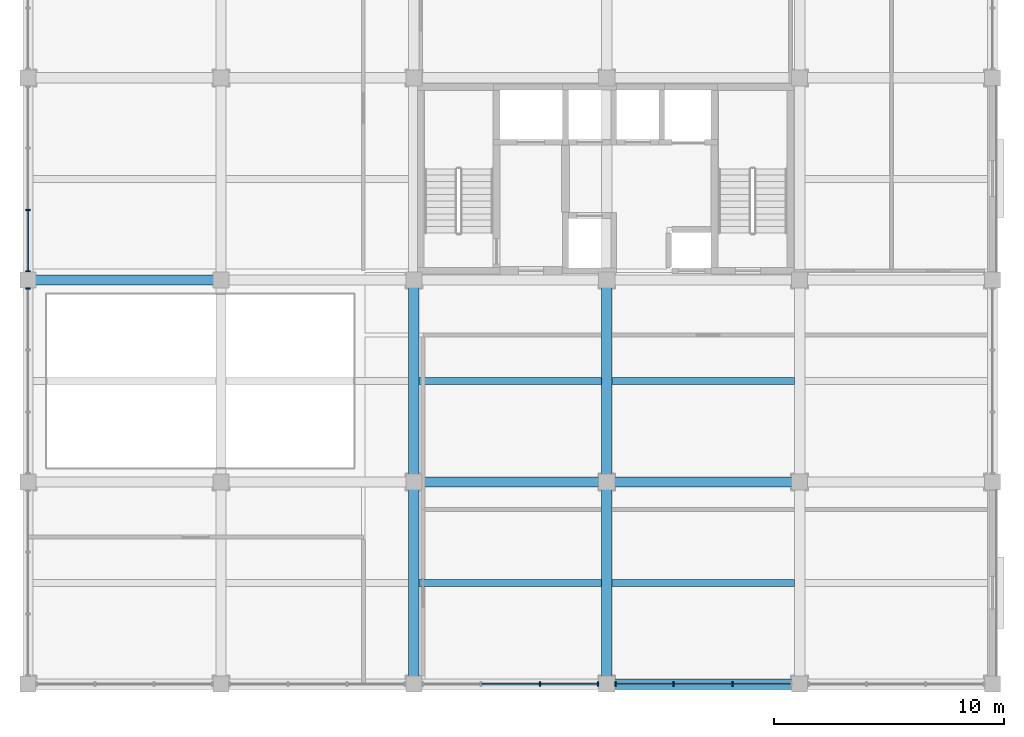
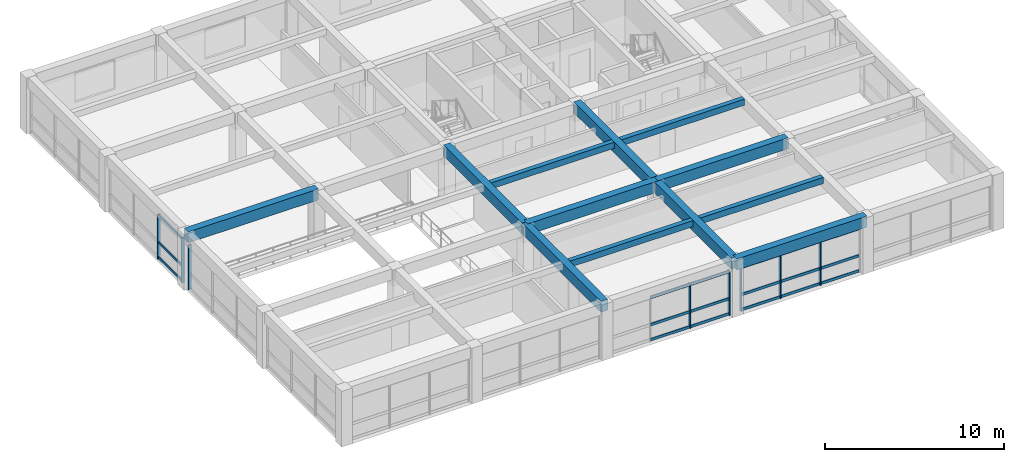
# One storey, part 3 of 13: 26 members, 12 beams, 4 elements without a shape of their own.
"""IFC4 building model written with IfcOpenShell, lengths in metres."""

from ifc_helpers import new_model, si_unit, direction, frame, origin, origin_2d, place, context, subcontext, project, spatial, rectangle, extrude, material, material_profile, profile_set, type_object, element, aggregate, save


model = new_model("IFC4")

# Units and contexts
model_context = context("Model", 3, precision=1e-05, world=origin(), true_north=direction((0.0, 1.0)))
body_context = subcontext(model_context, "Body", "Model", "MODEL_VIEW")
ifc_project = project(units=[si_unit("LENGTHUNIT", "METRE"), si_unit("AREAUNIT", "SQUARE_METRE"), si_unit("VOLUMEUNIT", "CUBIC_METRE"), si_unit("PLANEANGLEUNIT", "RADIAN"), si_unit("MASSUNIT", "GRAM", prefix="KILO")], contexts=[model_context])

# Site, building, storey
site_placement = place(None, origin())
site = spatial("IfcSite", under=ifc_project, at=site_placement, CompositionType="ELEMENT")
building_placement = place(site_placement, origin())
building = spatial("IfcBuilding", under=site, at=building_placement, Name="Kemercrest Conservatory and Botanical Centre", CompositionType="ELEMENT")
storey_placement = place(building_placement, frame((0.0, 0.0, 40.60009765625)))
storey = spatial("IfcBuildingStorey", under=building, at=storey_placement, Name="L10", CompositionType="ELEMENT", Elevation=40.60009765625)

# Beams
ifc_material_1 = material(Name="Concrete C40/50", Category="concrete")
ifc_material_profile_1 = material_profile(ifc_material_1, rectangle(XDim=0.449951171875, YDim=0.75, at=origin_2d()), Name="RC 450x750")
ifc_profile_set_1 = profile_set([ifc_material_profile_1], Name="Concrete C40/50")
beam_type_1 = type_object("IfcBeamType", Name="BM-RC75", PredefinedType="BEAM", material=ifc_profile_set_1)
beam_1_placement = place(storey_placement, frame((150.800048828125, 96.0, 3.4248046875), z_axis=(1.0, 0.0, 0.0), x_axis=(0.0, 1.0, 0.0)))
element("IfcBeam", 1, at=beam_1_placement, inside=storey, type_object=beam_type_1, Name="V4-L11 beam BM-RC75 L/18-19", PredefinedType="BEAM", context=body_context, shape_type="SweptSolid", body=[
    extrude(rectangle(XDim=0.449951171875, YDim=0.75, at=origin_2d()), origin(), (0.0, 0.0, 1.0), 8.39990234375),
])
beam_2_placement = place(storey_placement, frame((159.199951171875, 96.0, 3.4248046875), z_axis=(1.0, 0.0, 0.0), x_axis=(0.0, 1.0, 0.0)))
element("IfcBeam", 2, at=beam_2_placement, inside=storey, type_object=beam_type_1, Name="V4-L11 beam BM-RC75 L/19-20", PredefinedType="BEAM", context=body_context, shape_type="SweptSolid", body=[
    extrude(rectangle(XDim=0.449951171875, YDim=0.75, at=origin_2d()), origin(), (0.0, 0.0, 1.0), 8.400146484375),
])
beam_3_placement = place(storey_placement, frame((134.0, 104.800048828125, 3.4248046875), z_axis=(1.0, 0.0, 0.0), x_axis=(0.0, 1.0, 0.0)))
element("IfcBeam", 3, at=beam_3_placement, inside=storey, type_object=beam_type_1, Name="V4-L11 beam BM-RC75 M/16-17", PredefinedType="BEAM", context=body_context, shape_type="SweptSolid", body=[
    extrude(rectangle(XDim=0.449951171875, YDim=0.75, at=origin_2d()), origin(), (0.0, 0.0, 1.0), 8.39990234375),
])
for number, where, z_axis, x_axis, name in (
    (4, (150.800048828125, 87.199951171875, 3.4248046875), (0.0, 1.0, 0.0), (-1.0, 0.0, 0.0), "V4-L11 beam BM-RC75 18/K-L"),
    (5, (150.800048828125, 96.0, 3.4248046875), (0.0, 1.0, 0.0), (-1.0, 0.0, 0.0), "V4-L11 beam BM-RC75 18/L-M"),
    (6, (159.199951171875, 87.199951171875, 3.4248046875), (0.0, 1.0, 0.0), (-1.0, 0.0, 0.0), "V4-L11 beam BM-RC75 19/K-L"),
    (7, (159.199951171875, 96.0, 3.4248046875), (0.0, 1.0, 0.0), (-1.0, 0.0, 0.0), "V4-L11 beam BM-RC75 19/L-M"),
):
    element("IfcBeam", number, at=place(storey_placement, frame(where, z_axis=z_axis, x_axis=x_axis)), inside=storey, type_object=beam_type_1, Name=name, PredefinedType="BEAM", context=body_context, shape_type="SweptSolid", body=[
        extrude(rectangle(XDim=0.449951171875, YDim=0.75, at=origin_2d()), origin(), (0.0, 0.0, 1.0), 8.800048828125),
    ])

# Curtain wall, members
ifc_material_2 = material(Name="Thermally broken aluminium and triple low-e glazing", Category="aluminium")
curtain_wall_type_1 = type_object("IfcCurtainWallType", Name="CW-24", PredefinedType="USERDEFINED", material=ifc_material_2)
curtain_wall_1_placement = place(storey_placement, origin())
curtain_wall_1 = element("IfcCurtainWall", 8, at=curtain_wall_1_placement, inside=storey, type_object=curtain_wall_type_1, Name="Unitised curtain wall CW-24 (CW:L10:V4-113)", ObjectType="UNITISED CURTAIN WALL", PredefinedType="USERDEFINED")
ifc_material_3 = material(Name="Thermally broken anodized aluminium 6063-T6", Category="aluminium")
ifc_material_profile_2 = material_profile(ifc_material_3, rectangle(XDim=0.199951171875, YDim=0.06494140625, at=origin_2d()), Name="AL MULLION 65x200")
ifc_profile_set_2 = profile_set([ifc_material_profile_2], Name="Thermally broken anodized aluminium 6063-T6")
member_type_1 = type_object("IfcMemberType", Name="CW-M200", PredefinedType="MULLION", material=ifc_profile_set_2)
member_1_placement = place(storey_placement, frame((156.284912109375, 87.199951171875, 0.0), z_axis=(0.0, 0.0, 1.0), x_axis=(0.0, 1.0, 0.0)))
member_1 = element("IfcMember", 9, at=member_1_placement, type_object=member_type_1, Name="CW-24 mullion 3", PredefinedType="MULLION", context=body_context, shape_type="SweptSolid", body=[
    extrude(rectangle(XDim=0.199951171875, YDim=0.06494140625, at=origin_2d()), origin(), (0.0, 0.0, 1.0), 3.054931640625),
])
member_2_placement = place(storey_placement, frame((158.822509765625, 87.199951171875, 0.0), z_axis=(0.0, 0.0, 1.0), x_axis=(0.0, 1.0, 0.0)))
member_2 = element("IfcMember", 10, at=member_2_placement, type_object=member_type_1, Name="CW-24 mullion 4", PredefinedType="MULLION", context=body_context, shape_type="SweptSolid", body=[
    extrude(rectangle(XDim=0.199951171875, YDim=0.06494140625, at=origin_2d()), origin(), (0.0, 0.0, 1.0), 3.054931640625),
])

curtain_wall_type_2 = type_object("IfcCurtainWallType", Name="CW-25", PredefinedType="USERDEFINED", material=ifc_material_2)
curtain_wall_2_placement = place(storey_placement, origin())
curtain_wall_2 = element("IfcCurtainWall", 11, at=curtain_wall_2_placement, inside=storey, type_object=curtain_wall_type_2, Name="Unitised curtain wall CW-25 (CW:L10:V4-114)", ObjectType="UNITISED CURTAIN WALL", PredefinedType="USERDEFINED")
member_3_placement = place(storey_placement, frame((159.577392578125, 87.199951171875, 0.0), z_axis=(0.0, 0.0, 1.0), x_axis=(0.0, 1.0, 0.0)))
member_3 = element("IfcMember", 12, at=member_3_placement, type_object=member_type_1, Name="CW-25 mullion 1", PredefinedType="MULLION", context=body_context, shape_type="SweptSolid", body=[
    extrude(rectangle(XDim=0.199951171875, YDim=0.06494140625, at=origin_2d()), origin(), (0.0, 0.0, 1.0), 3.054931640625),
])
member_4_placement = place(storey_placement, frame((162.114990234375, 87.199951171875, 0.0), z_axis=(0.0, 0.0, 1.0), x_axis=(0.0, 1.0, 0.0)))
member_4 = element("IfcMember", 13, at=member_4_placement, type_object=member_type_1, Name="CW-25 mullion 2", PredefinedType="MULLION", context=body_context, shape_type="SweptSolid", body=[
    extrude(rectangle(XDim=0.199951171875, YDim=0.06494140625, at=origin_2d()), origin(), (0.0, 0.0, 1.0), 3.054931640625),
])
member_5_placement = place(storey_placement, frame((164.68505859375, 87.199951171875, 0.0), z_axis=(0.0, 0.0, 1.0), x_axis=(0.0, 1.0, 0.0)))
member_5 = element("IfcMember", 14, at=member_5_placement, type_object=member_type_1, Name="CW-25 mullion 3", PredefinedType="MULLION", context=body_context, shape_type="SweptSolid", body=[
    extrude(rectangle(XDim=0.199951171875, YDim=0.06494140625, at=origin_2d()), origin(), (0.0, 0.0, 1.0), 3.054931640625),
])

curtain_wall_type_3 = type_object("IfcCurtainWallType", Name="CW-30", PredefinedType="USERDEFINED", material=ifc_material_2)
curtain_wall_3_placement = place(storey_placement, origin())
curtain_wall_3 = element("IfcCurtainWall", 15, at=curtain_wall_3_placement, inside=storey, type_object=curtain_wall_type_3, Name="Unitised curtain wall CW-30 (CW:L10:V4-119)", ObjectType="UNITISED CURTAIN WALL", PredefinedType="USERDEFINED")
member_6_placement = place(storey_placement, frame((134.0, 107.848388671875, 0.0), z_axis=(0.0, 0.0, 1.0), x_axis=(1.0, 0.0, 0.0)))
member_6 = element("IfcMember", 16, at=member_6_placement, type_object=member_type_1, Name="CW-30 mullion 3", PredefinedType="MULLION", context=body_context, shape_type="SweptSolid", body=[
    extrude(rectangle(XDim=0.199951171875, YDim=0.06494140625, at=origin_2d()), origin(), (0.0, 0.0, 1.0), 3.054931640625),
])
member_7_placement = place(storey_placement, frame((134.0, 105.177490234375, 0.0), z_axis=(0.0, 0.0, 1.0), x_axis=(1.0, 0.0, 0.0)))
member_7 = element("IfcMember", 17, at=member_7_placement, type_object=member_type_1, Name="CW-30 mullion 4", PredefinedType="MULLION", context=body_context, shape_type="SweptSolid", body=[
    extrude(rectangle(XDim=0.199951171875, YDim=0.06494140625, at=origin_2d()), origin(), (0.0, 0.0, 1.0), 3.054931640625),
])

# Curtain wall, member
curtain_wall_type_4 = type_object("IfcCurtainWallType", Name="CW-01", PredefinedType="USERDEFINED", material=ifc_material_2)
curtain_wall_4_placement = place(storey_placement, origin())
curtain_wall_4 = element("IfcCurtainWall", 18, at=curtain_wall_4_placement, inside=storey, type_object=curtain_wall_type_4, Name="Unitised curtain wall CW-01 (CW:L10:V4-120)", ObjectType="UNITISED CURTAIN WALL", PredefinedType="USERDEFINED")
member_8_placement = place(storey_placement, frame((134.0, 104.422607421875, 0.0), z_axis=(0.0, 0.0, 1.0), x_axis=(1.0, 0.0, 0.0)))
member_8 = element("IfcMember", 19, at=member_8_placement, type_object=member_type_1, Name="CW-01 mullion 1", PredefinedType="MULLION", context=body_context, shape_type="SweptSolid", body=[
    extrude(rectangle(XDim=0.199951171875, YDim=0.06494140625, at=origin_2d()), origin(), (0.0, 0.0, 1.0), 3.054931640625),
])
aggregate(curtain_wall_4, [member_8])

# Member
ifc_material_profile_3 = material_profile(ifc_material_3, rectangle(XDim=0.074951171875, YDim=0.179931640625, at=origin_2d()), Name="AL TRANSOM 75x180")
ifc_profile_set_3 = profile_set([ifc_material_profile_3], Name="Thermally broken anodized aluminium 6063-T6")
member_type_2 = type_object("IfcMemberType", Name="CW-T180", PredefinedType="USERDEFINED", material=ifc_profile_set_3)
member_9_placement = place(storey_placement, frame((153.74755859375, 87.199951171875, 0.08984375), z_axis=(1.0, 0.0, 0.0), x_axis=(0.0, 1.0, 0.0)))
member_9 = element("IfcMember", 20, at=member_9_placement, type_object=member_type_2, Name="CW-24 transom 2.1", ObjectType="TRANSOM", PredefinedType="USERDEFINED", context=body_context, shape_type="SweptSolid", body=[
    extrude(rectangle(XDim=0.074951171875, YDim=0.179931640625, at=origin_2d()), origin(), (0.0, 0.0, 1.0), 2.5048828125),
])

member_10_placement = place(storey_placement, frame((153.74755859375, 87.199951171875, 1.119873046875), z_axis=(1.0, 0.0, 0.0), x_axis=(0.0, 1.0, 0.0)))
member_10 = element("IfcMember", 21, at=member_10_placement, type_object=member_type_2, Name="CW-24 transom 2.2", ObjectType="TRANSOM", PredefinedType="USERDEFINED", context=body_context, shape_type="SweptSolid", body=[
    extrude(rectangle(XDim=0.074951171875, YDim=0.179931640625, at=origin_2d()), origin(), (0.0, 0.0, 1.0), 2.5048828125),
])

member_11_placement = place(storey_placement, frame((153.74755859375, 87.199951171875, 2.96484375), z_axis=(1.0, 0.0, 0.0), x_axis=(0.0, 1.0, 0.0)))
member_11 = element("IfcMember", 22, at=member_11_placement, type_object=member_type_2, Name="CW-24 transom 2.3", ObjectType="TRANSOM", PredefinedType="USERDEFINED", context=body_context, shape_type="SweptSolid", body=[
    extrude(rectangle(XDim=0.074951171875, YDim=0.179931640625, at=origin_2d()), origin(), (0.0, 0.0, 1.0), 2.5048828125),
])

member_12_placement = place(storey_placement, frame((156.3173828125, 87.199951171875, 0.08984375), z_axis=(1.0, 0.0, 0.0), x_axis=(0.0, 1.0, 0.0)))
member_12 = element("IfcMember", 23, at=member_12_placement, type_object=member_type_2, Name="CW-24 transom 3.1", ObjectType="TRANSOM", PredefinedType="USERDEFINED", context=body_context, shape_type="SweptSolid", body=[
    extrude(rectangle(XDim=0.074951171875, YDim=0.179931640625, at=origin_2d()), origin(), (0.0, 0.0, 1.0), 2.47265625),
])

member_13_placement = place(storey_placement, frame((156.3173828125, 87.199951171875, 1.119873046875), z_axis=(1.0, 0.0, 0.0), x_axis=(0.0, 1.0, 0.0)))
member_13 = element("IfcMember", 24, at=member_13_placement, type_object=member_type_2, Name="CW-24 transom 3.2", ObjectType="TRANSOM", PredefinedType="USERDEFINED", context=body_context, shape_type="SweptSolid", body=[
    extrude(rectangle(XDim=0.074951171875, YDim=0.179931640625, at=origin_2d()), origin(), (0.0, 0.0, 1.0), 2.47265625),
])

member_14_placement = place(storey_placement, frame((156.3173828125, 87.199951171875, 2.96484375), z_axis=(1.0, 0.0, 0.0), x_axis=(0.0, 1.0, 0.0)))
member_14 = element("IfcMember", 25, at=member_14_placement, type_object=member_type_2, Name="CW-24 transom 3.3", ObjectType="TRANSOM", PredefinedType="USERDEFINED", context=body_context, shape_type="SweptSolid", body=[
    extrude(rectangle(XDim=0.074951171875, YDim=0.179931640625, at=origin_2d()), origin(), (0.0, 0.0, 1.0), 2.47265625),
])

aggregate(curtain_wall_1, [member_1, member_2, member_9, member_10, member_11, member_12, member_13, member_14])

member_15_placement = place(storey_placement, frame((159.610107421875, 87.199951171875, 0.08984375), z_axis=(1.0, 0.0, 0.0), x_axis=(0.0, 1.0, 0.0)))
member_15 = element("IfcMember", 26, at=member_15_placement, type_object=member_type_2, Name="CW-25 transom 1.1", ObjectType="TRANSOM", PredefinedType="USERDEFINED", context=body_context, shape_type="SweptSolid", body=[
    extrude(rectangle(XDim=0.074951171875, YDim=0.179931640625, at=origin_2d()), origin(), (0.0, 0.0, 1.0), 2.472412109375),
])

member_16_placement = place(storey_placement, frame((159.610107421875, 87.199951171875, 1.119873046875), z_axis=(1.0, 0.0, 0.0), x_axis=(0.0, 1.0, 0.0)))
member_16 = element("IfcMember", 27, at=member_16_placement, type_object=member_type_2, Name="CW-25 transom 1.2", ObjectType="TRANSOM", PredefinedType="USERDEFINED", context=body_context, shape_type="SweptSolid", body=[
    extrude(rectangle(XDim=0.074951171875, YDim=0.179931640625, at=origin_2d()), origin(), (0.0, 0.0, 1.0), 2.472412109375),
])

member_17_placement = place(storey_placement, frame((159.610107421875, 87.199951171875, 2.96484375), z_axis=(1.0, 0.0, 0.0), x_axis=(0.0, 1.0, 0.0)))
member_17 = element("IfcMember", 28, at=member_17_placement, type_object=member_type_2, Name="CW-25 transom 1.3", ObjectType="TRANSOM", PredefinedType="USERDEFINED", context=body_context, shape_type="SweptSolid", body=[
    extrude(rectangle(XDim=0.074951171875, YDim=0.179931640625, at=origin_2d()), origin(), (0.0, 0.0, 1.0), 2.472412109375),
])

member_18_placement = place(storey_placement, frame((162.1474609375, 87.199951171875, 0.08984375), z_axis=(1.0, 0.0, 0.0), x_axis=(0.0, 1.0, 0.0)))
member_18 = element("IfcMember", 29, at=member_18_placement, type_object=member_type_2, Name="CW-25 transom 2.1", ObjectType="TRANSOM", PredefinedType="USERDEFINED", context=body_context, shape_type="SweptSolid", body=[
    extrude(rectangle(XDim=0.074951171875, YDim=0.179931640625, at=origin_2d()), origin(), (0.0, 0.0, 1.0), 2.505126953125),
])

member_19_placement = place(storey_placement, frame((162.1474609375, 87.199951171875, 1.119873046875), z_axis=(1.0, 0.0, 0.0), x_axis=(0.0, 1.0, 0.0)))
member_19 = element("IfcMember", 30, at=member_19_placement, type_object=member_type_2, Name="CW-25 transom 2.2", ObjectType="TRANSOM", PredefinedType="USERDEFINED", context=body_context, shape_type="SweptSolid", body=[
    extrude(rectangle(XDim=0.074951171875, YDim=0.179931640625, at=origin_2d()), origin(), (0.0, 0.0, 1.0), 2.505126953125),
])

member_20_placement = place(storey_placement, frame((162.1474609375, 87.199951171875, 2.96484375), z_axis=(1.0, 0.0, 0.0), x_axis=(0.0, 1.0, 0.0)))
member_20 = element("IfcMember", 31, at=member_20_placement, type_object=member_type_2, Name="CW-25 transom 2.3", ObjectType="TRANSOM", PredefinedType="USERDEFINED", context=body_context, shape_type="SweptSolid", body=[
    extrude(rectangle(XDim=0.074951171875, YDim=0.179931640625, at=origin_2d()), origin(), (0.0, 0.0, 1.0), 2.505126953125),
])

member_21_placement = place(storey_placement, frame((164.717529296875, 87.199951171875, 0.08984375), z_axis=(1.0, 0.0, 0.0), x_axis=(0.0, 1.0, 0.0)))
member_21 = element("IfcMember", 32, at=member_21_placement, type_object=member_type_2, Name="CW-25 transom 3.1", ObjectType="TRANSOM", PredefinedType="USERDEFINED", context=body_context, shape_type="SweptSolid", body=[
    extrude(rectangle(XDim=0.074951171875, YDim=0.179931640625, at=origin_2d()), origin(), (0.0, 0.0, 1.0), 2.472412109375),
])

member_22_placement = place(storey_placement, frame((164.717529296875, 87.199951171875, 1.119873046875), z_axis=(1.0, 0.0, 0.0), x_axis=(0.0, 1.0, 0.0)))
member_22 = element("IfcMember", 33, at=member_22_placement, type_object=member_type_2, Name="CW-25 transom 3.2", ObjectType="TRANSOM", PredefinedType="USERDEFINED", context=body_context, shape_type="SweptSolid", body=[
    extrude(rectangle(XDim=0.074951171875, YDim=0.179931640625, at=origin_2d()), origin(), (0.0, 0.0, 1.0), 2.472412109375),
])

member_23_placement = place(storey_placement, frame((164.717529296875, 87.199951171875, 2.96484375), z_axis=(1.0, 0.0, 0.0), x_axis=(0.0, 1.0, 0.0)))
member_23 = element("IfcMember", 34, at=member_23_placement, type_object=member_type_2, Name="CW-25 transom 3.3", ObjectType="TRANSOM", PredefinedType="USERDEFINED", context=body_context, shape_type="SweptSolid", body=[
    extrude(rectangle(XDim=0.074951171875, YDim=0.179931640625, at=origin_2d()), origin(), (0.0, 0.0, 1.0), 2.472412109375),
])

aggregate(curtain_wall_2, [member_3, member_4, member_5, member_15, member_16, member_17, member_18, member_19, member_20, member_21, member_22, member_23])

member_24_placement = place(storey_placement, frame((134.0, 107.81591796875, 0.08984375), z_axis=(0.0, -1.0, 0.0), x_axis=(1.0, 0.0, 0.0)))
member_24 = element("IfcMember", 35, at=member_24_placement, type_object=member_type_2, Name="CW-30 transom 3.1", ObjectType="TRANSOM", PredefinedType="USERDEFINED", context=body_context, shape_type="SweptSolid", body=[
    extrude(rectangle(XDim=0.074951171875, YDim=0.179931640625, at=origin_2d()), origin(), (0.0, 0.0, 1.0), 2.60595703125),
])

member_25_placement = place(storey_placement, frame((134.0, 107.81591796875, 1.119873046875), z_axis=(0.0, -1.0, 0.0), x_axis=(1.0, 0.0, 0.0)))
member_25 = element("IfcMember", 36, at=member_25_placement, type_object=member_type_2, Name="CW-30 transom 3.2", ObjectType="TRANSOM", PredefinedType="USERDEFINED", context=body_context, shape_type="SweptSolid", body=[
    extrude(rectangle(XDim=0.074951171875, YDim=0.179931640625, at=origin_2d()), origin(), (0.0, 0.0, 1.0), 2.60595703125),
])

member_26_placement = place(storey_placement, frame((134.0, 107.81591796875, 2.96484375), z_axis=(0.0, -1.0, 0.0), x_axis=(1.0, 0.0, 0.0)))
member_26 = element("IfcMember", 37, at=member_26_placement, type_object=member_type_2, Name="CW-30 transom 3.3", ObjectType="TRANSOM", PredefinedType="USERDEFINED", context=body_context, shape_type="SweptSolid", body=[
    extrude(rectangle(XDim=0.074951171875, YDim=0.179931640625, at=origin_2d()), origin(), (0.0, 0.0, 1.0), 2.60595703125),
])

aggregate(curtain_wall_3, [member_6, member_7, member_24, member_25, member_26])

# Beams
ifc_material_profile_4 = material_profile(ifc_material_1, rectangle(XDim=0.300048828125, YDim=0.419921875, at=origin_2d()), Name="RC 300x420")
ifc_profile_set_4 = profile_set([ifc_material_profile_4], Name="Concrete C40/50")
beam_type_2 = type_object("IfcBeamType", Name="JS-RC42", PredefinedType="JOIST", material=ifc_profile_set_4)
beam_4_placement = place(storey_placement, frame((151.02490234375, 91.60009765625, 3.58984375), z_axis=(1.0, 0.0, 0.0), x_axis=(0.0, 1.0, 0.0)))
element("IfcBeam", 38, at=beam_4_placement, inside=storey, type_object=beam_type_2, Name="V4-L11 secondary joist JS-RC42", PredefinedType="JOIST", context=body_context, shape_type="SweptSolid", body=[
    extrude(rectangle(XDim=0.300048828125, YDim=0.419921875, at=origin_2d()), origin(), (0.0, 0.0, 1.0), 7.9501953125),
])
beam_5_placement = place(storey_placement, frame((159.425048828125, 91.60009765625, 3.58984375), z_axis=(1.0, 0.0, 0.0), x_axis=(0.0, 1.0, 0.0)))
element("IfcBeam", 39, at=beam_5_placement, inside=storey, type_object=beam_type_2, Name="V4-L11 secondary joist JS-RC42", PredefinedType="JOIST", context=body_context, shape_type="SweptSolid", body=[
    extrude(rectangle(XDim=0.300048828125, YDim=0.419921875, at=origin_2d()), origin(), (0.0, 0.0, 1.0), 7.949951171875),
])
beam_6_placement = place(storey_placement, frame((151.02490234375, 100.39990234375, 3.58984375), z_axis=(1.0, 0.0, 0.0), x_axis=(0.0, 1.0, 0.0)))
element("IfcBeam", 40, at=beam_6_placement, inside=storey, type_object=beam_type_2, Name="V4-L11 secondary joist JS-RC42", PredefinedType="JOIST", context=body_context, shape_type="SweptSolid", body=[
    extrude(rectangle(XDim=0.300048828125, YDim=0.419921875, at=origin_2d()), origin(), (0.0, 0.0, 1.0), 7.9501953125),
])
beam_7_placement = place(storey_placement, frame((159.425048828125, 100.39990234375, 3.58984375), z_axis=(1.0, 0.0, 0.0), x_axis=(0.0, 1.0, 0.0)))
element("IfcBeam", 41, at=beam_7_placement, inside=storey, type_object=beam_type_2, Name="V4-L11 secondary joist JS-RC42", PredefinedType="JOIST", context=body_context, shape_type="SweptSolid", body=[
    extrude(rectangle(XDim=0.300048828125, YDim=0.419921875, at=origin_2d()), origin(), (0.0, 0.0, 1.0), 7.949951171875),
])
ifc_material_profile_5 = material_profile(ifc_material_1, rectangle(XDim=0.449951171875, YDim=0.75, at=origin_2d()), Name="RC 450x750")
ifc_profile_set_5 = profile_set([ifc_material_profile_5], Name="Concrete C40/50")
beam_type_3 = type_object("IfcBeamType", Name="SP-RC75", PredefinedType="SPANDREL", material=ifc_profile_set_5)
beam_8_placement = place(storey_placement, frame((159.199951171875, 87.199951171875, 3.4248046875), z_axis=(1.0, 0.0, 0.0), x_axis=(0.0, 1.0, 0.0)))
element("IfcBeam", 42, at=beam_8_placement, inside=storey, type_object=beam_type_3, Name="V4-L11 beam SP-RC75 K/19-20", PredefinedType="SPANDREL", context=body_context, shape_type="SweptSolid", body=[
    extrude(rectangle(XDim=0.449951171875, YDim=0.75, at=origin_2d()), origin(), (0.0, 0.0, 1.0), 8.400146484375),
])

save(model, "model.ifc")
